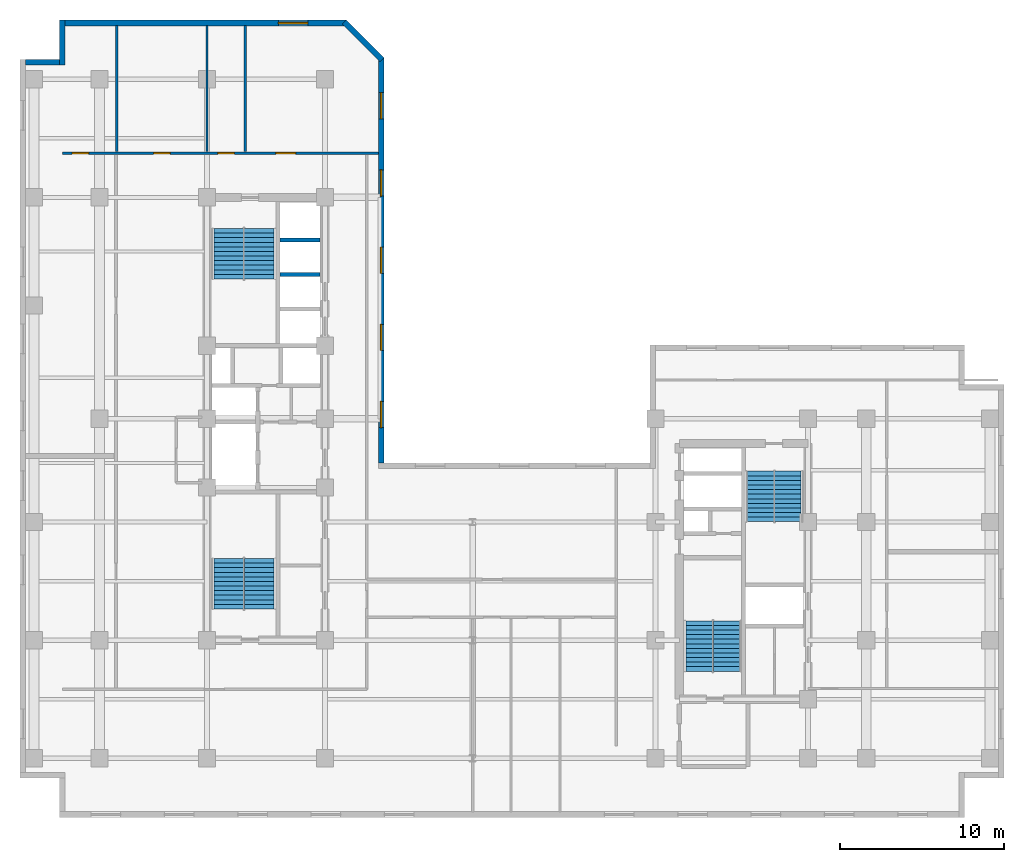
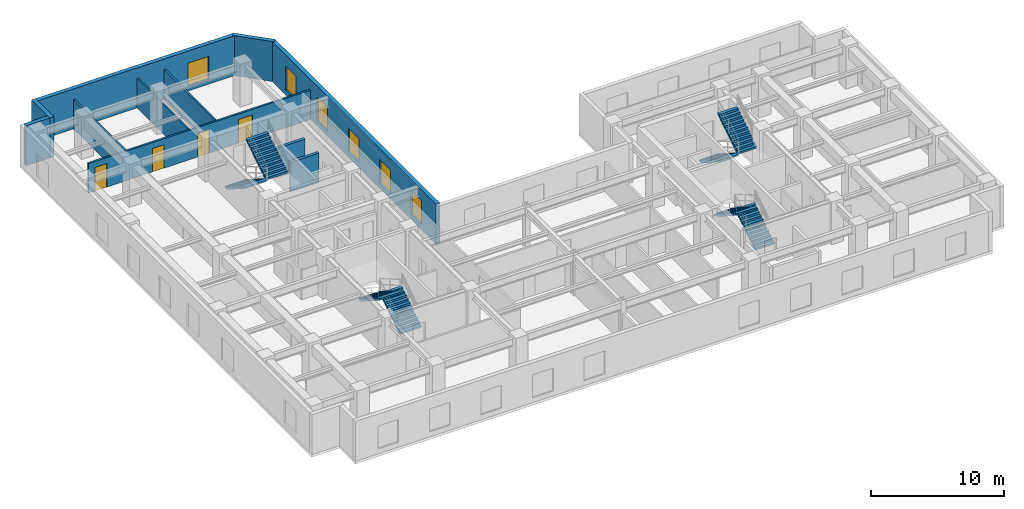
# One storey, part 6 of 9: 11 walls, 8 stair flights, 6 windows, 4 doors, 10 openings, 4 elements without a shape of their own.
"""IFC4 building model written with IfcOpenShell, lengths in metres."""

from ifc_helpers import new_model, entity, si_unit, converted_unit, direction, frame, origin_with_axes, origin_2d_with_axis, place, context, subcontext, project, spatial, polyline, rectangle, outline, extrude, material, layer, layer_set, type_object, element, fill, aggregate, save


model = new_model("IFC4")

# Units and contexts
model_context = context("Model", 3, precision=1e-05, world=origin_with_axes(), true_north=direction((0.0, 1.0)))
body_context = subcontext(model_context, "Body", "Model", "MODEL_VIEW")
ifc_project = project(units=[si_unit("LENGTHUNIT", "METRE"), si_unit("AREAUNIT", "SQUARE_METRE"), si_unit("VOLUMEUNIT", "CUBIC_METRE"), converted_unit("PLANEANGLEUNIT", "DEGREE", entity("IfcPlaneAngleMeasure", 0.017453292519943295), si_unit("PLANEANGLEUNIT", "RADIAN"), dimensions=[0, 0, 0, 0, 0, 0, 0]), si_unit("MASSUNIT", "GRAM", prefix="KILO"), si_unit("THERMODYNAMICTEMPERATUREUNIT", "KELVIN")], contexts=[model_context])

# Site, building, storey
site_placement = place(None, origin_with_axes())
site = spatial("IfcSite", under=ifc_project, at=site_placement, CompositionType="ELEMENT")
building_placement = place(site_placement, origin_with_axes())
building = spatial("IfcBuilding", under=site, at=building_placement, Name="Varnlund Millrace Tower", CompositionType="ELEMENT")
storey_placement = place(building_placement, frame((0.0, 0.0, 144.6), z_axis=(0.0, 0.0, 1.0), x_axis=(1.0, 0.0, 0.0)))
storey = spatial("IfcBuildingStorey", under=building, at=storey_placement, Name="L35", CompositionType="ELEMENT", Elevation=144.6)

# Walls
ifc_material_1 = material(Name="Precast concrete C50/60", Category="concrete")
ifc_layer_1 = layer(ifc_material_1, 0.34, Name="Precast concrete C50/60")
ifc_layer_set_1 = layer_set([ifc_layer_1], Name="Precast concrete C50/60")
wall_type_1 = type_object("IfcWallType", Name="Type-ExtWall-Precast-Upper-340", PredefinedType="SOLIDWALL", material=ifc_layer_set_1)
wall_1_placement = place(storey_placement, frame((0.34, 46.03, 0.0), z_axis=(0.0, 0.0, 1.0), x_axis=(1.0, 0.0, 0.0)))
element("IfcWall", 1, at=wall_1_placement, inside=storey, type_object=wall_type_1, Name="Type-ExtWall-Precast-Upper-340", PredefinedType="SOLIDWALL", context=body_context, shape_type="SweptSolid", body=[
    extrude(outline(polyline([(0.0, -0.17), (2.06, -0.17), (2.06, 0.17), (0.0, 0.17), (0.0, -0.17)])), origin_with_axes(), (0.0, 0.0, 1.0), 3.66),
])
wall_2_placement = place(storey_placement, frame((2.57, 45.86, 0.0), z_axis=(0.0, 0.0, 1.0), x_axis=(0.0, 1.0, 0.0)))
element("IfcWall", 2, at=wall_2_placement, inside=storey, type_object=wall_type_1, Name="Type-ExtWall-Precast-Upper-340", PredefinedType="SOLIDWALL", context=body_context, shape_type="SweptSolid", body=[
    extrude(outline(polyline([(0.0, -0.17), (2.74, -0.17), (2.74, 0.17), (0.0, 0.17), (0.0, -0.17)])), origin_with_axes(), (0.0, 0.0, 1.0), 3.66),
])

# Wall, opening, window
wall_3_placement = place(storey_placement, frame((2.74, 48.43, 0.0), z_axis=(0.0, 0.0, 1.0), x_axis=(1.0, 0.0, 0.0)))
wall_3 = element("IfcWall", 3, at=wall_3_placement, inside=storey, type_object=wall_type_1, Name="Type-ExtWall-Precast-Upper-340", PredefinedType="SOLIDWALL", context=body_context, shape_type="SweptSolid", body=[
    extrude(outline(polyline([(0.0, -0.17), (17.175, -0.17), (17.175, 0.17), (0.0, 0.17), (0.0, -0.17)])), origin_with_axes(), (0.0, 0.0, 1.0), 3.66),
])
opening_1_placement = place(wall_3_placement, frame((13.912, 0.0, 0.45), z_axis=(0.0, 0.0, 1.0), x_axis=(1.0, 0.0, 0.0)))
opening_1 = element("IfcOpeningElement", 4, at=opening_1_placement, cuts=wall_3, Name="Opening L35:WN-25", PredefinedType="OPENING", context=body_context, shape_type="SweptSolid", body=[
    extrude(rectangle(XDim=1.8, YDim=0.36, at=origin_2d_with_axis()), origin_with_axes(), (0.0, 0.0, 1.0), 2.1),
])
ifc_material_2 = material(Name="Argon low-e triple glazing in thermally broken bronze frame", Category="glass")
window_type_1 = type_object("IfcWindowType", Name="Type-Window-Punched-1800X2100", PartitioningType="SINGLE_PANEL", PredefinedType="WINDOW", material=ifc_material_2)
window_1_placement = place(wall_3_placement, frame((13.912, 0.0, 0.45), z_axis=(0.0, 0.0, 1.0), x_axis=(1.0, 0.0, 0.0)))
window_1 = element("IfcWindow", 5, at=window_1_placement, inside=storey, type_object=window_type_1, Name="Type-Window-Punched-1800X2100", OverallHeight=2.1, OverallWidth=1.8, PredefinedType="WINDOW", context=body_context, shape_type="SweptSolid", body=[
    extrude(rectangle(XDim=1.8, YDim=0.09, at=origin_2d_with_axis()), origin_with_axes(), (0.0, 0.0, 1.0), 2.1),
])
fill(opening_1, window_1)

# Wall
wall_4_placement = place(storey_placement, frame((19.781, 48.494, 0.0), z_axis=(0.0, 0.0, 1.0), x_axis=(0.707107, -0.707107, 0.0)))
element("IfcWall", 6, at=wall_4_placement, inside=storey, type_object=wall_type_1, Name="Type-ExtWall-Precast-Upper-340", PredefinedType="SOLIDWALL", context=body_context, shape_type="SweptSolid", body=[
    extrude(outline(polyline([(0.0, -0.17), (3.244206, -0.17), (3.244206, 0.17), (0.0, 0.17), (0.0, -0.17)])), origin_with_axes(), (0.0, 0.0, 1.0), 3.66),
])

# Wall, openings, windows
wall_5_placement = place(storey_placement, frame((22.025, 46.34, 0.0), z_axis=(0.0, 0.0, 1.0), x_axis=(0.0, -1.0, 0.0)))
wall_5 = element("IfcWall", 7, at=wall_5_placement, inside=storey, type_object=wall_type_1, Name="Type-ExtWall-Precast-Upper-340", PredefinedType="SOLIDWALL", context=body_context, shape_type="SweptSolid", body=[
    extrude(outline(polyline([(0.0, -0.17), (24.74, -0.17), (24.74, 0.17), (0.0, 0.17), (0.0, -0.17)])), origin_with_axes(), (0.0, 0.0, 1.0), 3.66),
])
opening_2_placement = place(wall_5_placement, frame((2.954, 0.0, 0.45), z_axis=(0.0, 0.0, 1.0), x_axis=(1.0, 0.0, 0.0)))
opening_2 = element("IfcOpeningElement", 8, at=opening_2_placement, cuts=wall_5, Name="Opening L35:WN-26", PredefinedType="OPENING", context=body_context, shape_type="SweptSolid", body=[
    extrude(rectangle(XDim=1.6, YDim=0.36, at=origin_2d_with_axis()), origin_with_axes(), (0.0, 0.0, 1.0), 2.2),
])
opening_3_placement = place(wall_5_placement, frame((7.662, 0.0, 0.45), z_axis=(0.0, 0.0, 1.0), x_axis=(1.0, 0.0, 0.0)))
opening_3 = element("IfcOpeningElement", 9, at=opening_3_placement, cuts=wall_5, Name="Opening L35:WN-27", PredefinedType="OPENING", context=body_context, shape_type="SweptSolid", body=[
    extrude(rectangle(XDim=1.6, YDim=0.36, at=origin_2d_with_axis()), origin_with_axes(), (0.0, 0.0, 1.0), 2.2),
])
opening_4_placement = place(wall_5_placement, frame((12.37, 0.0, 0.45), z_axis=(0.0, 0.0, 1.0), x_axis=(1.0, 0.0, 0.0)))
opening_4 = element("IfcOpeningElement", 10, at=opening_4_placement, cuts=wall_5, Name="Opening L35:WN-28", PredefinedType="OPENING", context=body_context, shape_type="SweptSolid", body=[
    extrude(rectangle(XDim=1.6, YDim=0.36, at=origin_2d_with_axis()), origin_with_axes(), (0.0, 0.0, 1.0), 2.2),
])
opening_5_placement = place(wall_5_placement, frame((17.078, 0.0, 0.45), z_axis=(0.0, 0.0, 1.0), x_axis=(1.0, 0.0, 0.0)))
opening_5 = element("IfcOpeningElement", 11, at=opening_5_placement, cuts=wall_5, Name="Opening L35:WN-29", PredefinedType="OPENING", context=body_context, shape_type="SweptSolid", body=[
    extrude(rectangle(XDim=1.6, YDim=0.36, at=origin_2d_with_axis()), origin_with_axes(), (0.0, 0.0, 1.0), 2.2),
])
opening_6_placement = place(wall_5_placement, frame((21.786, 0.0, 0.45), z_axis=(0.0, 0.0, 1.0), x_axis=(1.0, 0.0, 0.0)))
opening_6 = element("IfcOpeningElement", 12, at=opening_6_placement, cuts=wall_5, Name="Opening L35:WN-30", PredefinedType="OPENING", context=body_context, shape_type="SweptSolid", body=[
    extrude(rectangle(XDim=1.6, YDim=0.36, at=origin_2d_with_axis()), origin_with_axes(), (0.0, 0.0, 1.0), 2.2),
])
window_type_2 = type_object("IfcWindowType", Name="Type-Window-Slot-1600X2200", PartitioningType="SINGLE_PANEL", PredefinedType="WINDOW", material=ifc_material_2)
window_2_placement = place(wall_5_placement, frame((2.954, 0.0, 0.45), z_axis=(0.0, 0.0, 1.0), x_axis=(1.0, 0.0, 0.0)))
window_2 = element("IfcWindow", 13, at=window_2_placement, inside=storey, type_object=window_type_2, Name="Type-Window-Slot-1600X2200", OverallHeight=2.2, OverallWidth=1.6, PredefinedType="WINDOW", context=body_context, shape_type="SweptSolid", body=[
    extrude(rectangle(XDim=1.6, YDim=0.09, at=origin_2d_with_axis()), origin_with_axes(), (0.0, 0.0, 1.0), 2.2),
])
fill(opening_2, window_2)
window_3_placement = place(wall_5_placement, frame((7.662, 0.0, 0.45), z_axis=(0.0, 0.0, 1.0), x_axis=(1.0, 0.0, 0.0)))
window_3 = element("IfcWindow", 14, at=window_3_placement, inside=storey, type_object=window_type_2, Name="Type-Window-Slot-1600X2200", OverallHeight=2.2, OverallWidth=1.6, PredefinedType="WINDOW", context=body_context, shape_type="SweptSolid", body=[
    extrude(rectangle(XDim=1.6, YDim=0.09, at=origin_2d_with_axis()), origin_with_axes(), (0.0, 0.0, 1.0), 2.2),
])
fill(opening_3, window_3)
window_4_placement = place(wall_5_placement, frame((12.37, 0.0, 0.45), z_axis=(0.0, 0.0, 1.0), x_axis=(1.0, 0.0, 0.0)))
window_4 = element("IfcWindow", 15, at=window_4_placement, inside=storey, type_object=window_type_2, Name="Type-Window-Slot-1600X2200", OverallHeight=2.2, OverallWidth=1.6, PredefinedType="WINDOW", context=body_context, shape_type="SweptSolid", body=[
    extrude(rectangle(XDim=1.6, YDim=0.09, at=origin_2d_with_axis()), origin_with_axes(), (0.0, 0.0, 1.0), 2.2),
])
fill(opening_4, window_4)
window_5_placement = place(wall_5_placement, frame((17.078, 0.0, 0.45), z_axis=(0.0, 0.0, 1.0), x_axis=(1.0, 0.0, 0.0)))
window_5 = element("IfcWindow", 16, at=window_5_placement, inside=storey, type_object=window_type_2, Name="Type-Window-Slot-1600X2200", OverallHeight=2.2, OverallWidth=1.6, PredefinedType="WINDOW", context=body_context, shape_type="SweptSolid", body=[
    extrude(rectangle(XDim=1.6, YDim=0.09, at=origin_2d_with_axis()), origin_with_axes(), (0.0, 0.0, 1.0), 2.2),
])
fill(opening_5, window_5)
window_6_placement = place(wall_5_placement, frame((21.786, 0.0, 0.45), z_axis=(0.0, 0.0, 1.0), x_axis=(1.0, 0.0, 0.0)))
window_6 = element("IfcWindow", 17, at=window_6_placement, inside=storey, type_object=window_type_2, Name="Type-Window-Slot-1600X2200", OverallHeight=2.2, OverallWidth=1.6, PredefinedType="WINDOW", context=body_context, shape_type="SweptSolid", body=[
    extrude(rectangle(XDim=1.6, YDim=0.09, at=origin_2d_with_axis()), origin_with_axes(), (0.0, 0.0, 1.0), 2.2),
])
fill(opening_6, window_6)

# Wall, openings, doors
ifc_material_3 = material(Name="Fire-rated gypsum board on cold-formed steel framing", Category="steel")
ifc_layer_2 = layer(ifc_material_3, 0.16, Name="Fire-rated gypsum board on cold-formed steel framing")
ifc_layer_set_2 = layer_set([ifc_layer_2], Name="Fire-rated gypsum board on cold-formed steel framing")
wall_type_2 = type_object("IfcWallType", Name="Type-Partition-Corridor-160", PredefinedType="PARTITIONING", material=ifc_layer_set_2)
wall_6_placement = place(storey_placement, frame((2.6, 40.5, 0.0), z_axis=(0.0, 0.0, 1.0), x_axis=(1.0, 0.0, 0.0)))
wall_6 = element("IfcWall", 18, at=wall_6_placement, inside=storey, type_object=wall_type_2, Name="Type-Partition-Corridor-160", PredefinedType="PARTITIONING", context=body_context, shape_type="SweptSolid", body=[
    extrude(outline(polyline([(0.0, -0.08), (19.26, -0.08), (19.26, 0.08), (0.0, 0.08), (0.0, -0.08)])), origin_with_axes(), (0.0, 0.0, 1.0), 2.7),
])
opening_7_placement = place(wall_6_placement, frame((1.084, 0.0, 0.0), z_axis=(0.0, 0.0, 1.0), x_axis=(1.0, 0.0, 0.0)))
opening_7 = element("IfcOpeningElement", 19, at=opening_7_placement, cuts=wall_6, Name="Opening L35:DR-WAN-01", PredefinedType="OPENING", context=body_context, shape_type="SweptSolid", body=[
    extrude(rectangle(XDim=1.0, YDim=0.18, at=origin_2d_with_axis()), origin_with_axes(), (0.0, 0.0, 1.0), 2.15),
])
opening_8_placement = place(wall_6_placement, frame((6.049, 0.0, 0.0), z_axis=(0.0, 0.0, 1.0), x_axis=(1.0, 0.0, 0.0)))
opening_8 = element("IfcOpeningElement", 20, at=opening_8_placement, cuts=wall_6, Name="Opening L35:DR-WAN-02", PredefinedType="OPENING", context=body_context, shape_type="SweptSolid", body=[
    extrude(rectangle(XDim=1.0, YDim=0.18, at=origin_2d_with_axis()), origin_with_axes(), (0.0, 0.0, 1.0), 2.15),
])
opening_9_placement = place(wall_6_placement, frame((9.968, 0.0, 0.0), z_axis=(0.0, 0.0, 1.0), x_axis=(1.0, 0.0, 0.0)))
opening_9 = element("IfcOpeningElement", 21, at=opening_9_placement, cuts=wall_6, Name="Opening L35:DR-WAN-03", PredefinedType="OPENING", context=body_context, shape_type="SweptSolid", body=[
    extrude(rectangle(XDim=1.0, YDim=0.18, at=origin_2d_with_axis()), origin_with_axes(), (0.0, 0.0, 1.0), 2.15),
])
opening_10_placement = place(wall_6_placement, frame((13.6005, 0.0, 0.0), z_axis=(0.0, 0.0, 1.0), x_axis=(1.0, 0.0, 0.0)))
opening_10 = element("IfcOpeningElement", 22, at=opening_10_placement, cuts=wall_6, Name="Opening L35:DR-WAN-04", PredefinedType="OPENING", context=body_context, shape_type="SweptSolid", body=[
    extrude(rectangle(XDim=1.2, YDim=0.18, at=origin_2d_with_axis()), origin_with_axes(), (0.0, 0.0, 1.0), 2.2),
])
ifc_material_4 = material(Name="Wide executive white oak acoustic door")
door_type_1 = type_object("IfcDoorType", Name="Type-IntDoor-Exec-1200X2200", OperationType="NOTDEFINED", PredefinedType="DOOR", material=ifc_material_4)
door_1_placement = place(wall_6_placement, frame((13.6005, 0.0, 0.0), z_axis=(0.0, 0.0, 1.0), x_axis=(1.0, 0.0, 0.0)))
door_1 = element("IfcDoor", 23, at=door_1_placement, inside=storey, type_object=door_type_1, Name="Type-IntDoor-Exec-1200X2200", OperationType="SINGLE_SWING_RIGHT", OverallHeight=2.2, OverallWidth=1.2, PredefinedType="DOOR", context=body_context, shape_type="SweptSolid", body=[
    extrude(rectangle(XDim=1.2, YDim=0.09, at=origin_2d_with_axis()), origin_with_axes(), (0.0, 0.0, 1.0), 2.2),
])
fill(opening_10, door_1)
ifc_material_5 = material(Name="Solid-core white oak and bronze frame door")
door_type_2 = type_object("IfcDoorType", Name="Type-IntDoor-Office-1000X2150", OperationType="NOTDEFINED", PredefinedType="DOOR", material=ifc_material_5)
door_2_placement = place(wall_6_placement, frame((1.084, 0.0, 0.0), z_axis=(0.0, 0.0, 1.0), x_axis=(1.0, 0.0, 0.0)))
door_2 = element("IfcDoor", 24, at=door_2_placement, inside=storey, type_object=door_type_2, Name="Type-IntDoor-Office-1000X2150", OperationType="SINGLE_SWING_LEFT", OverallHeight=2.15, OverallWidth=1.0, PredefinedType="DOOR", context=body_context, shape_type="SweptSolid", body=[
    extrude(rectangle(XDim=1.0, YDim=0.09, at=origin_2d_with_axis()), origin_with_axes(), (0.0, 0.0, 1.0), 2.15),
])
fill(opening_7, door_2)
door_3_placement = place(wall_6_placement, frame((6.049, 0.0, 0.0), z_axis=(0.0, 0.0, 1.0), x_axis=(1.0, 0.0, 0.0)))
door_3 = element("IfcDoor", 25, at=door_3_placement, inside=storey, type_object=door_type_2, Name="Type-IntDoor-Office-1000X2150", OperationType="SINGLE_SWING_RIGHT", OverallHeight=2.15, OverallWidth=1.0, PredefinedType="DOOR", context=body_context, shape_type="SweptSolid", body=[
    extrude(rectangle(XDim=1.0, YDim=0.09, at=origin_2d_with_axis()), origin_with_axes(), (0.0, 0.0, 1.0), 2.15),
])
fill(opening_8, door_3)
door_4_placement = place(wall_6_placement, frame((9.968, 0.0, 0.0), z_axis=(0.0, 0.0, 1.0), x_axis=(1.0, 0.0, 0.0)))
door_4 = element("IfcDoor", 26, at=door_4_placement, inside=storey, type_object=door_type_2, Name="Type-IntDoor-Office-1000X2150", OperationType="SINGLE_SWING_LEFT", OverallHeight=2.15, OverallWidth=1.0, PredefinedType="DOOR", context=body_context, shape_type="SweptSolid", body=[
    extrude(rectangle(XDim=1.0, YDim=0.09, at=origin_2d_with_axis()), origin_with_axes(), (0.0, 0.0, 1.0), 2.15),
])
fill(opening_9, door_4)

# Walls
ifc_material_6 = material(Name="Acoustic STC-50 gypsum board partition", Category="gypsum")
ifc_layer_3 = layer(ifc_material_6, 0.15, Name="Acoustic STC-50 gypsum board partition")
ifc_layer_set_3 = layer_set([ifc_layer_3], Name="Acoustic STC-50 gypsum board partition")
wall_type_3 = type_object("IfcWallType", Name="Type-Partition-Demising-150", PredefinedType="PARTITIONING", material=ifc_layer_set_3)
for number, where, z_axis, x_axis, name in (
    (27, (5.898, 40.6, 0.0), (0.0, 0.0, 1.0), (0.0, 1.0, 0.0), "Type-Partition-Demising-150"),
    (28, (13.736, 40.6, 0.0), (0.0, 0.0, 1.0), (0.0, 1.0, 0.0), "Type-Partition-Demising-150"),
):
    element("IfcWall", number, at=place(storey_placement, frame(where, z_axis=z_axis, x_axis=x_axis)), inside=storey, type_object=wall_type_3, Name=name, PredefinedType="PARTITIONING", context=body_context, shape_type="SweptSolid", body=[
        extrude(outline(polyline([(0.0, -0.075), (7.665, -0.075), (7.665, 0.075), (0.0, 0.075), (0.0, -0.075)])), origin_with_axes(), (0.0, 0.0, 1.0), 2.7),
    ])
ifc_material_7 = material(Name="Gypsum board tenant partition", Category="gypsum")
ifc_layer_4 = layer(ifc_material_7, 0.125, Name="Gypsum board tenant partition")
ifc_layer_set_4 = layer_set([ifc_layer_4], Name="Gypsum board tenant partition")
wall_type_4 = type_object("IfcWallType", Name="Type-Partition-Tenant-125", PredefinedType="PARTITIONING", material=ifc_layer_set_4)
wall_7_placement = place(storey_placement, frame((11.4, 40.6, 0.0), z_axis=(0.0, 0.0, 1.0), x_axis=(0.0, 1.0, 0.0)))
element("IfcWall", 29, at=wall_7_placement, inside=storey, type_object=wall_type_4, Name="Type-Partition-Tenant-125", PredefinedType="PARTITIONING", context=body_context, shape_type="SweptSolid", body=[
    extrude(outline(polyline([(0.0, -0.0625), (7.665, -0.0625), (7.665, 0.0625), (0.0, 0.0625), (0.0, -0.0625)])), origin_with_axes(), (0.0, 0.0, 1.0), 2.7),
])
ifc_material_8 = material(Name="Concrete C60/75", Category="concrete")
ifc_layer_5 = layer(ifc_material_8, 0.25, Name="Concrete C60/75")
ifc_layer_set_5 = layer_set([ifc_layer_5], Name="Concrete C60/75")
wall_type_5 = type_object("IfcWallType", Name="Type-ShaftWall-Fire-250", PredefinedType="SOLIDWALL", material=ifc_layer_set_5)
for number, where, z_axis, x_axis, name in (
    (30, (15.84, 33.1, 0.0), (0.0, 0.0, 1.0), (1.0, 0.0, 0.0), "Type-ShaftWall-Fire-250"),
    (31, (15.84, 35.2, 0.0), (0.0, 0.0, 1.0), (1.0, 0.0, 0.0), "Type-ShaftWall-Fire-250"),
):
    element("IfcWall", number, at=place(storey_placement, frame(where, z_axis=z_axis, x_axis=x_axis)), inside=storey, type_object=wall_type_5, Name=name, PredefinedType="SOLIDWALL", context=body_context, shape_type="SweptSolid", body=[
        extrude(outline(polyline([(0.0, -0.125), (2.46, -0.125), (2.46, 0.125), (0.0, 0.125), (0.0, -0.125)])), origin_with_axes(), (0.0, 0.0, 1.0), 2.7),
    ])

# Stair, stair flights
ifc_material_9 = material(Name="Concrete C50/60", Category="concrete")
stair_type_1 = type_object("IfcStairType", Name="Type-Stair-Dogleg-165-390", PredefinedType="HALF_TURN_STAIR", material=ifc_material_9)
stair_1_placement = place(storey_placement, origin_with_axes())
stair_1 = element("IfcStair", 32, at=stair_1_placement, inside=storey, type_object=stair_type_1, Name="Type-Stair-Dogleg-165-390", PredefinedType="HALF_TURN_STAIR")
stair_flight_type_1 = type_object("IfcStairFlightType", Name="Type-Dogleg-Run-165-390", PredefinedType="STRAIGHT", material=ifc_material_1)
stair_flight_1_placement = place(storey_placement, frame((42.225, 8.9, 0.0), z_axis=(1.0, 0.0, 0.0), x_axis=(0.0, 1.0, 0.0)))
stair_flight_1 = element("IfcStairFlight", 33, at=stair_flight_1_placement, type_object=stair_flight_type_1, Name="ST-B1 flight 1", NumberOfRisers=11, NumberOfTreads=11, PredefinedType="STRAIGHT", RiserHeight=0.177273, TreadLength=0.28, context=body_context, shape_type="SweptSolid", body=[
    extrude(outline(polyline([(0.0, 0.0), (0.0, 0.177273), (0.28, 0.177273), (0.28, 0.354545), (0.56, 0.354545), (0.56, 0.531818), (0.84, 0.531818), (0.84, 0.709091), (1.12, 0.709091), (1.12, 0.886364), (1.4, 0.886364), (1.4, 1.063636), (1.68, 1.063636), (1.68, 1.240909), (1.96, 1.240909), (1.96, 1.418182), (2.24, 1.418182), (2.24, 1.595454), (2.52, 1.595454), (2.52, 1.772727), (2.8, 1.772727), (2.8, 1.95), (3.08, 1.95), (3.08, 1.8), (0.28, 0.0), (0.0, 0.0)])), origin_with_axes(), (0.0, 0.0, 1.0), 1.65),
])
stair_flight_2_placement = place(storey_placement, frame((42.275, 11.98, 1.95), z_axis=(-1.0, 0.0, 0.0), x_axis=(0.0, -1.0, 0.0)))
stair_flight_2 = element("IfcStairFlight", 34, at=stair_flight_2_placement, type_object=stair_flight_type_1, Name="ST-B1 flight 2", NumberOfRisers=11, NumberOfTreads=11, PredefinedType="STRAIGHT", RiserHeight=0.177273, TreadLength=0.28, context=body_context, shape_type="SweptSolid", body=[
    extrude(outline(polyline([(0.0, 0.0), (0.0, 0.177273), (0.28, 0.177273), (0.28, 0.354545), (0.56, 0.354545), (0.56, 0.531818), (0.84, 0.531818), (0.84, 0.709091), (1.12, 0.709091), (1.12, 0.886364), (1.4, 0.886364), (1.4, 1.063636), (1.68, 1.063636), (1.68, 1.240909), (1.96, 1.240909), (1.96, 1.418182), (2.24, 1.418182), (2.24, 1.595454), (2.52, 1.595454), (2.52, 1.772727), (2.8, 1.772727), (2.8, 1.95), (3.08, 1.95), (3.08, 1.8), (0.28, 0.0), (0.0, 0.0)])), origin_with_axes(), (0.0, 0.0, 1.0), 1.65),
])
aggregate(stair_1, [stair_flight_1, stair_flight_2])

stair_2_placement = place(storey_placement, origin_with_axes())
stair_2 = element("IfcStair", 35, at=stair_2_placement, inside=storey, type_object=stair_type_1, Name="Type-Stair-Dogleg-165-390", PredefinedType="HALF_TURN_STAIR")
stair_flight_3_placement = place(storey_placement, frame((46.025, 21.1, 0.0), z_axis=(-1.0, 0.0, 0.0), x_axis=(0.0, -1.0, 0.0)))
stair_flight_3 = element("IfcStairFlight", 36, at=stair_flight_3_placement, type_object=stair_flight_type_1, Name="ST-B2 flight 1", NumberOfRisers=11, NumberOfTreads=11, PredefinedType="STRAIGHT", RiserHeight=0.177273, TreadLength=0.28, context=body_context, shape_type="SweptSolid", body=[
    extrude(outline(polyline([(0.0, 0.0), (0.0, 0.177273), (0.28, 0.177273), (0.28, 0.354545), (0.56, 0.354545), (0.56, 0.531818), (0.84, 0.531818), (0.84, 0.709091), (1.12, 0.709091), (1.12, 0.886364), (1.4, 0.886364), (1.4, 1.063636), (1.68, 1.063636), (1.68, 1.240909), (1.96, 1.240909), (1.96, 1.418182), (2.24, 1.418182), (2.24, 1.595454), (2.52, 1.595454), (2.52, 1.772727), (2.8, 1.772727), (2.8, 1.95), (3.08, 1.95), (3.08, 1.8), (0.28, 0.0), (0.0, 0.0)])), origin_with_axes(), (0.0, 0.0, 1.0), 1.65),
])
stair_flight_4_placement = place(storey_placement, frame((45.975, 18.02, 1.95), z_axis=(1.0, 0.0, 0.0), x_axis=(0.0, 1.0, 0.0)))
stair_flight_4 = element("IfcStairFlight", 37, at=stair_flight_4_placement, type_object=stair_flight_type_1, Name="ST-B2 flight 2", NumberOfRisers=11, NumberOfTreads=11, PredefinedType="STRAIGHT", RiserHeight=0.177273, TreadLength=0.28, context=body_context, shape_type="SweptSolid", body=[
    extrude(outline(polyline([(0.0, 0.0), (0.0, 0.177273), (0.28, 0.177273), (0.28, 0.354545), (0.56, 0.354545), (0.56, 0.531818), (0.84, 0.531818), (0.84, 0.709091), (1.12, 0.709091), (1.12, 0.886364), (1.4, 0.886364), (1.4, 1.063636), (1.68, 1.063636), (1.68, 1.240909), (1.96, 1.240909), (1.96, 1.418182), (2.24, 1.418182), (2.24, 1.595454), (2.52, 1.595454), (2.52, 1.772727), (2.8, 1.772727), (2.8, 1.95), (3.08, 1.95), (3.08, 1.8), (0.28, 0.0), (0.0, 0.0)])), origin_with_axes(), (0.0, 0.0, 1.0), 1.65),
])
aggregate(stair_2, [stair_flight_3, stair_flight_4])

stair_type_2 = type_object("IfcStairType", Name="Type-Stair-Dogleg-185-390", PredefinedType="HALF_TURN_STAIR", material=ifc_material_9)
stair_3_placement = place(storey_placement, origin_with_axes())
stair_3 = element("IfcStair", 38, at=stair_3_placement, inside=storey, type_object=stair_type_2, Name="Type-Stair-Dogleg-185-390", PredefinedType="HALF_TURN_STAIR")
stair_flight_type_2 = type_object("IfcStairFlightType", Name="Type-Dogleg-Run-185-390", PredefinedType="STRAIGHT", material=ifc_material_1)
stair_flight_5_placement = place(storey_placement, frame((13.625, 12.7, 0.0), z_axis=(1.0, 0.0, 0.0), x_axis=(0.0, 1.0, 0.0)))
stair_flight_5 = element("IfcStairFlight", 39, at=stair_flight_5_placement, type_object=stair_flight_type_2, Name="ST-A1 flight 1", NumberOfRisers=11, NumberOfTreads=11, PredefinedType="STRAIGHT", RiserHeight=0.177273, TreadLength=0.28, context=body_context, shape_type="SweptSolid", body=[
    extrude(outline(polyline([(0.0, 0.0), (0.0, 0.177273), (0.28, 0.177273), (0.28, 0.354545), (0.56, 0.354545), (0.56, 0.531818), (0.84, 0.531818), (0.84, 0.709091), (1.12, 0.709091), (1.12, 0.886364), (1.4, 0.886364), (1.4, 1.063636), (1.68, 1.063636), (1.68, 1.240909), (1.96, 1.240909), (1.96, 1.418182), (2.24, 1.418182), (2.24, 1.595454), (2.52, 1.595454), (2.52, 1.772727), (2.8, 1.772727), (2.8, 1.95), (3.08, 1.95), (3.08, 1.8), (0.28, 0.0), (0.0, 0.0)])), origin_with_axes(), (0.0, 0.0, 1.0), 1.85),
])
stair_flight_6_placement = place(storey_placement, frame((13.675, 15.78, 1.95), z_axis=(-1.0, 0.0, 0.0), x_axis=(0.0, -1.0, 0.0)))
stair_flight_6 = element("IfcStairFlight", 40, at=stair_flight_6_placement, type_object=stair_flight_type_2, Name="ST-A1 flight 2", NumberOfRisers=11, NumberOfTreads=11, PredefinedType="STRAIGHT", RiserHeight=0.177273, TreadLength=0.28, context=body_context, shape_type="SweptSolid", body=[
    extrude(outline(polyline([(0.0, 0.0), (0.0, 0.177273), (0.28, 0.177273), (0.28, 0.354545), (0.56, 0.354545), (0.56, 0.531818), (0.84, 0.531818), (0.84, 0.709091), (1.12, 0.709091), (1.12, 0.886364), (1.4, 0.886364), (1.4, 1.063636), (1.68, 1.063636), (1.68, 1.240909), (1.96, 1.240909), (1.96, 1.418182), (2.24, 1.418182), (2.24, 1.595454), (2.52, 1.595454), (2.52, 1.772727), (2.8, 1.772727), (2.8, 1.95), (3.08, 1.95), (3.08, 1.8), (0.28, 0.0), (0.0, 0.0)])), origin_with_axes(), (0.0, 0.0, 1.0), 1.85),
])
aggregate(stair_3, [stair_flight_5, stair_flight_6])

stair_4_placement = place(storey_placement, origin_with_axes())
stair_4 = element("IfcStair", 41, at=stair_4_placement, inside=storey, type_object=stair_type_2, Name="Type-Stair-Dogleg-185-390", PredefinedType="HALF_TURN_STAIR")
stair_flight_7_placement = place(storey_placement, frame((13.675, 35.9, 0.0), z_axis=(-1.0, 0.0, 0.0), x_axis=(0.0, -1.0, 0.0)))
stair_flight_7 = element("IfcStairFlight", 42, at=stair_flight_7_placement, type_object=stair_flight_type_2, Name="ST-A2 flight 1", NumberOfRisers=11, NumberOfTreads=11, PredefinedType="STRAIGHT", RiserHeight=0.177273, TreadLength=0.28, context=body_context, shape_type="SweptSolid", body=[
    extrude(outline(polyline([(0.0, 0.0), (0.0, 0.177273), (0.28, 0.177273), (0.28, 0.354545), (0.56, 0.354545), (0.56, 0.531818), (0.84, 0.531818), (0.84, 0.709091), (1.12, 0.709091), (1.12, 0.886364), (1.4, 0.886364), (1.4, 1.063636), (1.68, 1.063636), (1.68, 1.240909), (1.96, 1.240909), (1.96, 1.418182), (2.24, 1.418182), (2.24, 1.595454), (2.52, 1.595454), (2.52, 1.772727), (2.8, 1.772727), (2.8, 1.95), (3.08, 1.95), (3.08, 1.8), (0.28, 0.0), (0.0, 0.0)])), origin_with_axes(), (0.0, 0.0, 1.0), 1.85),
])
stair_flight_8_placement = place(storey_placement, frame((13.625, 32.82, 1.95), z_axis=(1.0, 0.0, 0.0), x_axis=(0.0, 1.0, 0.0)))
stair_flight_8 = element("IfcStairFlight", 43, at=stair_flight_8_placement, type_object=stair_flight_type_2, Name="ST-A2 flight 2", NumberOfRisers=11, NumberOfTreads=11, PredefinedType="STRAIGHT", RiserHeight=0.177273, TreadLength=0.28, context=body_context, shape_type="SweptSolid", body=[
    extrude(outline(polyline([(0.0, 0.0), (0.0, 0.177273), (0.28, 0.177273), (0.28, 0.354545), (0.56, 0.354545), (0.56, 0.531818), (0.84, 0.531818), (0.84, 0.709091), (1.12, 0.709091), (1.12, 0.886364), (1.4, 0.886364), (1.4, 1.063636), (1.68, 1.063636), (1.68, 1.240909), (1.96, 1.240909), (1.96, 1.418182), (2.24, 1.418182), (2.24, 1.595454), (2.52, 1.595454), (2.52, 1.772727), (2.8, 1.772727), (2.8, 1.95), (3.08, 1.95), (3.08, 1.8), (0.28, 0.0), (0.0, 0.0)])), origin_with_axes(), (0.0, 0.0, 1.0), 1.85),
])
aggregate(stair_4, [stair_flight_7, stair_flight_8])

save(model, "model.ifc")
